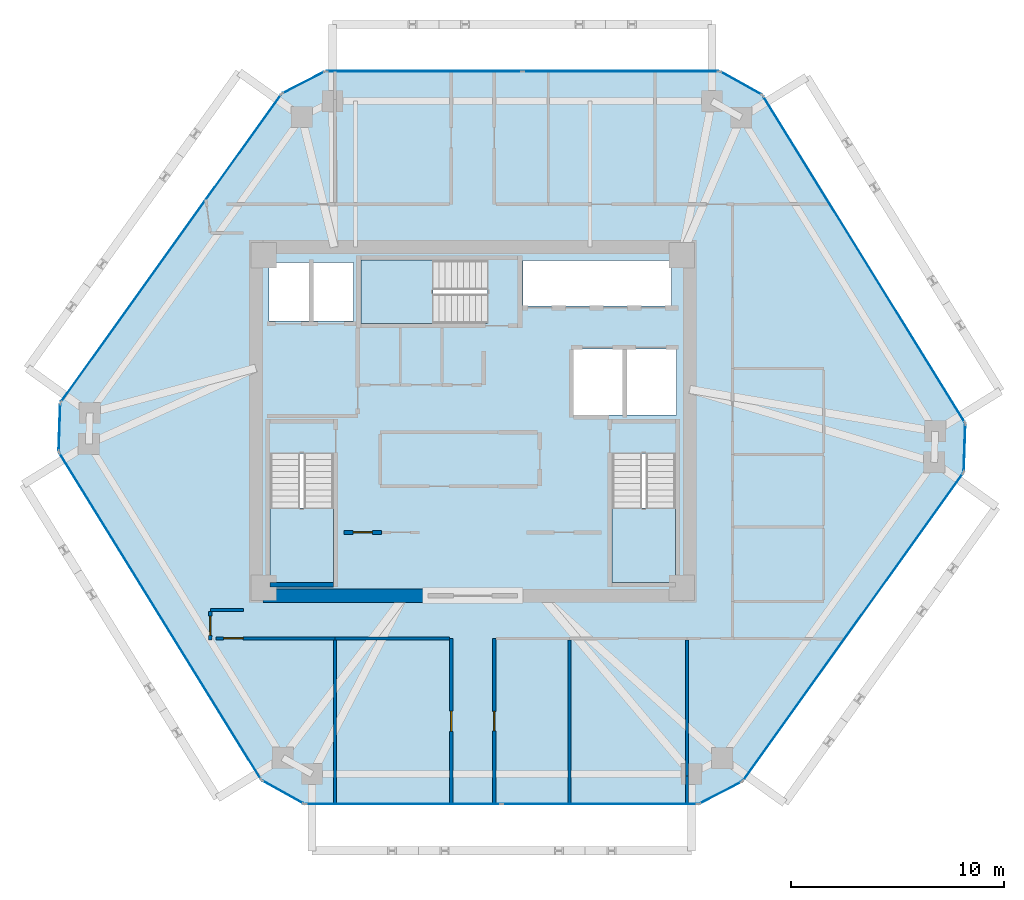
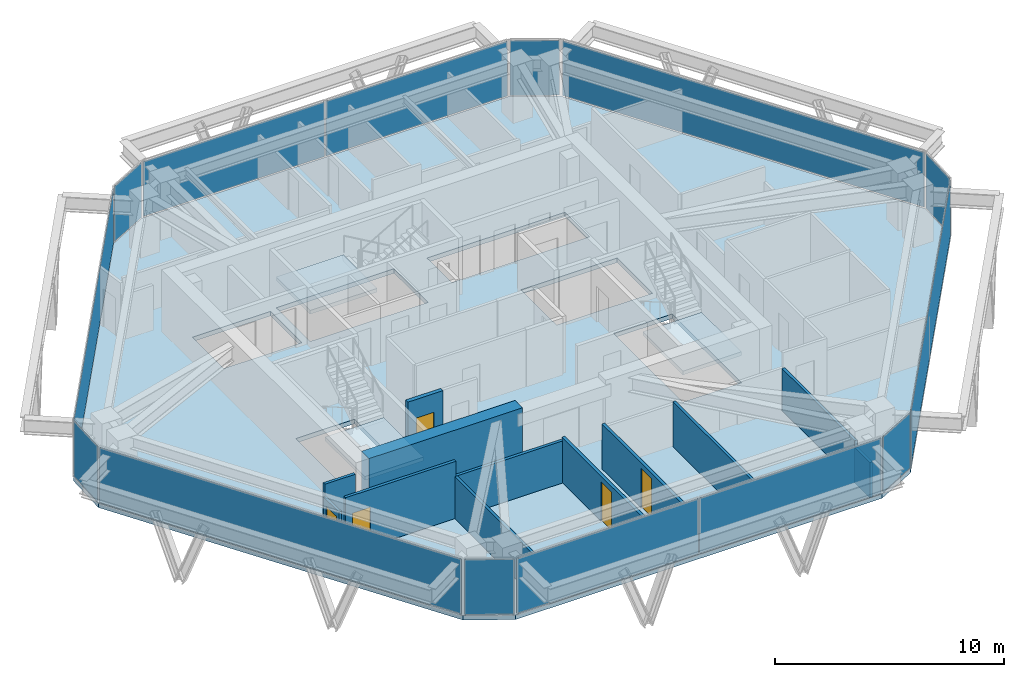
# One storey, part 7 of 11: 14 plates, 13 walls, 5 doors, 4 slabs, 5 openings, 15 elements without a shape of their own.
"""IFC4 building model written with IfcOpenShell, lengths in metres."""

from ifc_helpers import new_model, si_unit, direction, frame, frame_2d, origin, origin_2d, place, context, subcontext, project, spatial, polyline, rectangle, outline, extrude, source, transform, mapped, material, layer, layer_set, type_object, type_shapes, element, fill, aggregate, save


model = new_model("IFC4")

# Units and contexts
model_context = context("Model", 3, precision=1e-05, world=origin(), true_north=direction((0.0, 1.0)))
body_context = subcontext(model_context, "Body", "Model", "MODEL_VIEW")
ifc_project = project(units=[si_unit("LENGTHUNIT", "METRE"), si_unit("AREAUNIT", "SQUARE_METRE"), si_unit("VOLUMEUNIT", "CUBIC_METRE"), si_unit("PLANEANGLEUNIT", "RADIAN"), si_unit("MASSUNIT", "GRAM", prefix="KILO")], contexts=[model_context])

# Site, building, storey
site_placement = place(None, origin())
site = spatial("IfcSite", under=ifc_project, at=site_placement, CompositionType="ELEMENT")
building_placement = place(site_placement, origin())
building = spatial("IfcBuilding", under=site, at=building_placement, Name="Durnholm Broadcast Tower", CompositionType="ELEMENT")
storey_placement = place(building_placement, frame((0.0, 0.0, 177.10009765625)))
storey = spatial("IfcBuildingStorey", under=building, at=storey_placement, Name="L48", CompositionType="ELEMENT", Elevation=177.10009765625)

# Slab
ifc_material_1 = material(Name="Concrete C50/60", Category="concrete")
ifc_layer_1 = layer(ifc_material_1, 0.239990234375)
ifc_layer_set_1 = layer_set([ifc_layer_1], Name="Concrete C50/60")
slab_type_1 = type_object("IfcSlabType", Name="SLAB-FLR-240", PredefinedType="FLOOR", material=ifc_layer_set_1)
slab_1_placement = place(storey_placement, frame((0.0, 0.0, -0.239990234375)))
element("IfcSlab", 1, at=slab_1_placement, inside=storey, type_object=slab_type_1, Name="L48 structural floor slab", PredefinedType="FLOOR", context=body_context, shape_type="SweptSolid", body=[
    extrude(outline(polyline([(-9.912353515625, -16.822021484375), (-7.9033203125, -17.94189453125), (10.59521484375, -17.94189453125), (12.64111328125, -16.890625), (23.022705078125, -2.390380859375), (23.1005859375, -0.091552734375), (13.59033203125, 15.2978515625), (11.581298828125, 16.41796875), (-6.917236328125, 16.41796875), (-8.962890625, 15.36669921875), (-19.3447265625, 0.8662109375), (-19.422607421875, -1.432373046875), (-9.912353515625, -16.822021484375)]), holes=[polyline([(-6.5400390625, -1.5), (-9.5, -1.5), (-9.5, -7.550048828125), (-6.5400390625, -7.550048828125), (-6.5400390625, -1.5)]), polyline([(9.5, -7.550048828125), (9.5, -1.5), (6.5400390625, -1.5), (6.5400390625, -7.550048828125), (9.5, -7.550048828125)]), polyline([(9.550048828125, 3.39990234375), (4.699951171875, 3.39990234375), (4.699951171875, 0.300048828125), (9.550048828125, 0.300048828125), (9.550048828125, 3.39990234375)]), polyline([(-9.550048828125, 7.449951171875), (-9.550048828125, 4.699951171875), (-5.60009765625, 4.699951171875), (-5.60009765625, 7.449951171875), (-9.550048828125, 7.449951171875)]), polyline([(-5.25, 4.60009765625), (0.699951171875, 4.60009765625), (0.699951171875, 7.56005859375), (-5.25, 7.56005859375), (-5.25, 4.60009765625)]), polyline([(9.31005859375, 7.550048828125), (2.35009765625, 7.550048828125), (2.35009765625, 5.39990234375), (9.31005859375, 5.39990234375), (9.31005859375, 7.550048828125)])]), origin(), (0.0, 0.0, 1.0), 0.239990234375),
])

# Stair, slab
stair_type = type_object("IfcStairType", Name="STAIR-DL-20R1650", PredefinedType="HALF_TURN_STAIR", material=ifc_material_1)
stair_1_placement = place(storey_placement, origin())
stair_1 = element("IfcStair", 2, at=stair_1_placement, inside=storey, type_object=stair_type, Name="L48 ST-1", PredefinedType="HALF_TURN_STAIR")
ifc_layer_2 = layer(ifc_material_1, 0.199951171875)
ifc_layer_set_2 = layer_set([ifc_layer_2], Name="Concrete C50/60")
slab_type_2 = type_object("IfcSlabType", Name="SLAB-LND-200", PredefinedType="LANDING", material=ifc_layer_set_2)
slab_2_placement = place(storey_placement, frame((0.0, 0.0, 1.449951171875)))
slab_2 = element("IfcSlab", 3, at=slab_2_placement, type_object=slab_type_2, Name="ST-1 landing 1", PredefinedType="LANDING", context=body_context, shape_type="SweptSolid", body=[
    extrude(outline(polyline([(-9.5, -4.06494140625), (-9.5, -7.550048828125), (-6.5400390625, -7.550048828125), (-6.5400390625, -4.06494140625), (-9.5, -4.06494140625)])), origin(), (0.0, 0.0, 1.0), 0.199951171875),
])
aggregate(stair_1, [slab_2])

stair_2_placement = place(storey_placement, origin())
stair_2 = element("IfcStair", 4, at=stair_2_placement, inside=storey, type_object=stair_type, Name="L48 ST-2", PredefinedType="HALF_TURN_STAIR")
slab_3_placement = place(storey_placement, frame((0.0, 0.0, 1.449951171875)))
slab_3 = element("IfcSlab", 5, at=slab_3_placement, type_object=slab_type_2, Name="ST-2 landing 1", PredefinedType="LANDING", context=body_context, shape_type="SweptSolid", body=[
    extrude(outline(polyline([(6.5400390625, -4.06494140625), (6.5400390625, -7.550048828125), (9.5, -7.550048828125), (9.5, -4.06494140625), (6.5400390625, -4.06494140625)])), origin(), (0.0, 0.0, 1.0), 0.199951171875),
])
aggregate(stair_2, [slab_3])

stair_3_placement = place(storey_placement, origin())
stair_3 = element("IfcStair", 6, at=stair_3_placement, inside=storey, type_object=stair_type, Name="L48 ST-3", PredefinedType="HALF_TURN_STAIR")
slab_4_placement = place(storey_placement, frame((0.0, 0.0, 1.449951171875)))
slab_4 = element("IfcSlab", 7, at=slab_4_placement, type_object=slab_type_2, Name="ST-3 landing 1", PredefinedType="LANDING", context=body_context, shape_type="SweptSolid", body=[
    extrude(outline(polyline([(-1.864990234375, 7.56005859375), (-5.25, 7.56005859375), (-5.25, 4.60009765625), (-1.864990234375, 4.60009765625), (-1.864990234375, 7.56005859375)])), origin(), (0.0, 0.0, 1.0), 0.199951171875),
])
aggregate(stair_3, [slab_4])

# Curtain wall, plate
ifc_material_2 = material(Name="Aluminium and Solar Control IGU", Category="aluminium")
ifc_layer_3 = layer(ifc_material_2, 0.1650390625)
ifc_layer_set_3 = layer_set([ifc_layer_3], Name="Aluminium and Solar Control IGU")
curtain_wall_type_1 = type_object("IfcCurtainWallType", Name="CW-SYS-5", PredefinedType="NOTDEFINED", material=ifc_layer_set_3)
curtain_wall_1_placement = place(storey_placement, origin())
curtain_wall_1 = element("IfcCurtainWall", 8, at=curtain_wall_1_placement, inside=storey, type_object=curtain_wall_type_1, Name="L48 curtain wall CW-CORNER CW-L48-CRN-01", PredefinedType="NOTDEFINED")
ifc_material_3 = material(Name="Low-E Laminated Insulating Glass", Category="glass")
ifc_layer_4 = layer(ifc_material_3, 0.030029296875)
ifc_layer_set_4 = layer_set([ifc_layer_4], Name="Low-E Laminated Insulating Glass")
plate_type_1 = type_object("IfcPlateType", Name="CW-SYS-5-PNL", PredefinedType="CURTAIN_PANEL", material=ifc_layer_set_4)
shared_shape_1 = source(origin(), body_context, "Body", "SweptSolid", [
    extrude(rectangle(XDim=2.169921875, YDim=0.030029296875, at=origin_2d()), origin(), (0.0, 0.0, 1.0), 2.929931640625),
])
plate_1_placement = place(storey_placement, frame((-19.3837890625, -0.282958984375, 0.06494140625), z_axis=(0.0, 0.0, 1.0), x_axis=(0.033912704699, 0.999424798802, 0.0)))
plate_1 = element("IfcPlate", 9, at=plate_1_placement, type_object=plate_type_1, Name="CW-CORNER panel 1.1", PredefinedType="CURTAIN_PANEL", context=body_context, shape_type="MappedRepresentation", body=[
    mapped(shared_shape_1, transform((0.0, 0.0, 0.0), x_axis=(1.0, 0.0, 0.0), y_axis=(0.0, 1.0, 0.0), z_axis=(0.0, 0.0, 1.0), scale=1.0)),
])
aggregate(curtain_wall_1, [plate_1])

curtain_wall_2_placement = place(storey_placement, origin())
curtain_wall_2 = element("IfcCurtainWall", 10, at=curtain_wall_2_placement, inside=storey, type_object=curtain_wall_type_1, Name="L48 curtain wall CW-CORNER CW-L48-CRN-03", PredefinedType="NOTDEFINED")
plate_2_placement = place(storey_placement, frame((-7.940185546875, 15.892333984375, 0.06494140625), z_axis=(0.0, 0.0, 1.0), x_axis=(0.889424679545, 0.457081764476, 0.0)))
plate_2 = element("IfcPlate", 11, at=plate_2_placement, type_object=plate_type_1, Name="CW-CORNER panel 1.1", PredefinedType="CURTAIN_PANEL", context=body_context, shape_type="MappedRepresentation", body=[
    mapped(shared_shape_1, transform((0.0, 0.0, 0.0), x_axis=(1.0, 0.0, 0.0), y_axis=(0.0, 1.0, 0.0), z_axis=(0.0, 0.0, 1.0), scale=1.0)),
])
aggregate(curtain_wall_2, [plate_2])

curtain_wall_3_placement = place(storey_placement, origin())
curtain_wall_3 = element("IfcCurtainWall", 12, at=curtain_wall_3_placement, inside=storey, type_object=curtain_wall_type_1, Name="L48 curtain wall CW-CORNER CW-L48-CRN-07", PredefinedType="NOTDEFINED")
plate_3_placement = place(storey_placement, frame((23.061767578125, -1.240966796875, 0.06494140625), z_axis=(0.0, 0.0, 1.0), x_axis=(-0.033912704699, -0.999424798802, 0.0)))
plate_3 = element("IfcPlate", 13, at=plate_3_placement, type_object=plate_type_1, Name="CW-CORNER panel 1.1", PredefinedType="CURTAIN_PANEL", context=body_context, shape_type="MappedRepresentation", body=[
    mapped(shared_shape_1, transform((0.0, 0.0, 0.0), x_axis=(1.0, 0.0, 0.0), y_axis=(0.0, 1.0, 0.0), z_axis=(0.0, 0.0, 1.0), scale=1.0)),
])
aggregate(curtain_wall_3, [plate_3])

curtain_wall_4_placement = place(storey_placement, origin())
curtain_wall_4 = element("IfcCurtainWall", 14, at=curtain_wall_4_placement, inside=storey, type_object=curtain_wall_type_1, Name="L48 curtain wall CW-CORNER CW-L48-CRN-09", PredefinedType="NOTDEFINED")
plate_4_placement = place(storey_placement, frame((11.6181640625, -17.416259765625, 0.06494140625), z_axis=(0.0, 0.0, 1.0), x_axis=(-0.889424679545, -0.457081764476, 0.0)))
plate_4 = element("IfcPlate", 15, at=plate_4_placement, type_object=plate_type_1, Name="CW-CORNER panel 1.1", PredefinedType="CURTAIN_PANEL", context=body_context, shape_type="MappedRepresentation", body=[
    mapped(shared_shape_1, transform((0.0, 0.0, 0.0), x_axis=(1.0, 0.0, 0.0), y_axis=(0.0, 1.0, 0.0), z_axis=(0.0, 0.0, 1.0), scale=1.0)),
])
aggregate(curtain_wall_4, [plate_4])

ifc_layer_5 = layer(ifc_material_2, 0.18994140625)
ifc_layer_set_5 = layer_set([ifc_layer_5], Name="Aluminium and Solar Control IGU")
curtain_wall_type_2 = type_object("IfcCurtainWallType", Name="CW-SYS-4", PredefinedType="NOTDEFINED", material=ifc_layer_set_5)
curtain_wall_5_placement = place(storey_placement, origin())
curtain_wall_5 = element("IfcCurtainWall", 16, at=curtain_wall_5_placement, inside=storey, type_object=curtain_wall_type_2, Name="L48 curtain wall CW-Z34-VIS CW-L48-F02", PredefinedType="NOTDEFINED")
ifc_layer_6 = layer(ifc_material_3, 0.033935546875)
ifc_layer_set_6 = layer_set([ifc_layer_6], Name="Low-E Laminated Insulating Glass")
plate_type_2 = type_object("IfcPlateType", Name="CW-SYS-4-PNL", PredefinedType="CURTAIN_PANEL", material=ifc_layer_set_6)
shared_shape_2 = source(origin(), body_context, "Body", "SweptSolid", [
    extrude(rectangle(XDim=17.693603515625, YDim=0.033935546875, at=origin_2d()), origin(), (0.0, 0.0, 1.0), 2.919921875),
])
plate_5_placement = place(storey_placement, frame((-14.15380859375, 8.116455078125, 0.06982421875), z_axis=(0.0, 0.0, 1.0), x_axis=(0.582139030549, 0.813089262696, 0.0)))
plate_5 = element("IfcPlate", 17, at=plate_5_placement, type_object=plate_type_2, Name="CW-Z34-VIS panel 1.1", PredefinedType="CURTAIN_PANEL", context=body_context, shape_type="MappedRepresentation", body=[
    mapped(shared_shape_2, transform((0.0, 0.0, 0.0), x_axis=(1.0, 0.0, 0.0), y_axis=(0.0, 1.0, 0.0), z_axis=(0.0, 0.0, 1.0), scale=1.0)),
])
aggregate(curtain_wall_5, [plate_5])

curtain_wall_6_placement = place(storey_placement, origin())
curtain_wall_6 = element("IfcCurtainWall", 18, at=curtain_wall_6_placement, inside=storey, type_object=curtain_wall_type_2, Name="L48 curtain wall CW-Z34-VIS CW-L48-F08", PredefinedType="NOTDEFINED")
plate_6_placement = place(storey_placement, frame((17.831787109375, -9.640380859375, 0.06982421875), z_axis=(0.0, 0.0, 1.0), x_axis=(-0.582139030549, -0.813089262696, 0.0)))
plate_6 = element("IfcPlate", 19, at=plate_6_placement, type_object=plate_type_2, Name="CW-Z34-VIS panel 1.1", PredefinedType="CURTAIN_PANEL", context=body_context, shape_type="MappedRepresentation", body=[
    mapped(shared_shape_2, transform((0.0, 0.0, 0.0), x_axis=(1.0, 0.0, 0.0), y_axis=(0.0, 1.0, 0.0), z_axis=(0.0, 0.0, 1.0), scale=1.0)),
])
aggregate(curtain_wall_6, [plate_6])

# Curtain wall, plates
curtain_wall_7_placement = place(storey_placement, origin())
curtain_wall_7 = element("IfcCurtainWall", 20, at=curtain_wall_7_placement, inside=storey, type_object=curtain_wall_type_2, Name="L48 curtain wall CW-Z34-VIS CW-L48-F04", PredefinedType="NOTDEFINED")
shared_shape_3 = source(origin(), body_context, "Body", "SweptSolid", [
    extrude(rectangle(XDim=9.144287109375, YDim=0.033935546875, at=origin_2d()), origin(), (0.0, 0.0, 1.0), 2.919921875),
])
plate_7_placement = place(storey_placement, frame((-2.275146484375, 16.41796875, 0.06982421875), z_axis=(0.0, 0.0, 1.0), x_axis=(1.0, 0.0, 0.0)))
plate_7 = element("IfcPlate", 21, at=plate_7_placement, type_object=plate_type_2, Name="CW-Z34-VIS panel 1.1", PredefinedType="CURTAIN_PANEL", context=body_context, shape_type="MappedRepresentation", body=[
    mapped(shared_shape_3, transform((0.0, 0.0, 0.0), x_axis=(1.0, 0.0, 0.0), y_axis=(0.0, 1.0, 0.0), z_axis=(0.0, 0.0, 1.0), scale=1.0)),
])
plate_8_placement = place(storey_placement, frame((6.939208984375, 16.41796875, 0.06982421875), z_axis=(0.0, 0.0, 1.0), x_axis=(1.0, 0.0, 0.0)))
plate_8 = element("IfcPlate", 22, at=plate_8_placement, type_object=plate_type_2, Name="CW-Z34-VIS panel 2.1", PredefinedType="CURTAIN_PANEL", context=body_context, shape_type="MappedRepresentation", body=[
    mapped(shared_shape_3, transform((0.0, 0.0, 0.0), x_axis=(1.0, 0.0, 0.0), y_axis=(0.0, 1.0, 0.0), z_axis=(0.0, 0.0, 1.0), scale=1.0)),
])
aggregate(curtain_wall_7, [plate_7, plate_8])

curtain_wall_8_placement = place(storey_placement, origin())
curtain_wall_8 = element("IfcCurtainWall", 23, at=curtain_wall_8_placement, inside=storey, type_object=curtain_wall_type_2, Name="L48 curtain wall CW-Z34-VIS CW-L48-F10", PredefinedType="NOTDEFINED")
plate_9_placement = place(storey_placement, frame((5.953125, -17.94189453125, 0.06982421875), z_axis=(0.0, 0.0, 1.0), x_axis=(-1.0, 0.0, 0.0)))
plate_9 = element("IfcPlate", 24, at=plate_9_placement, type_object=plate_type_2, Name="CW-Z34-VIS panel 1.1", PredefinedType="CURTAIN_PANEL", context=body_context, shape_type="MappedRepresentation", body=[
    mapped(shared_shape_3, transform((0.0, 0.0, 0.0), x_axis=(1.0, 0.0, 0.0), y_axis=(0.0, 1.0, 0.0), z_axis=(0.0, 0.0, 1.0), scale=1.0)),
])
plate_10_placement = place(storey_placement, frame((-3.26123046875, -17.94189453125, 0.06982421875), z_axis=(0.0, 0.0, 1.0), x_axis=(-1.0, 0.0, 0.0)))
plate_10 = element("IfcPlate", 25, at=plate_10_placement, type_object=plate_type_2, Name="CW-Z34-VIS panel 2.1", PredefinedType="CURTAIN_PANEL", context=body_context, shape_type="MappedRepresentation", body=[
    mapped(shared_shape_3, transform((0.0, 0.0, 0.0), x_axis=(1.0, 0.0, 0.0), y_axis=(0.0, 1.0, 0.0), z_axis=(0.0, 0.0, 1.0), scale=1.0)),
])
aggregate(curtain_wall_8, [plate_9, plate_10])

# Curtain wall, plate
curtain_wall_9_placement = place(storey_placement, origin())
curtain_wall_9 = element("IfcCurtainWall", 26, at=curtain_wall_9_placement, inside=storey, type_object=curtain_wall_type_1, Name="L48 curtain wall CW-CORNER CW-L48-CRN-05", PredefinedType="NOTDEFINED")
shared_shape_4 = source(origin(), body_context, "Body", "SweptSolid", [
    extrude(rectangle(XDim=2.170166015625, YDim=0.030029296875, at=origin_2d()), origin(), (0.0, 0.0, 1.0), 2.929931640625),
])
type_shapes(plate_type_1, [shared_shape_1, shared_shape_4])
plate_11_placement = place(storey_placement, frame((12.5859375, 15.85791015625, 0.06494140625), z_axis=(0.0, 0.0, 1.0), x_axis=(0.873409751271, -0.486986043316, 0.0)))
plate_11 = element("IfcPlate", 27, at=plate_11_placement, type_object=plate_type_1, Name="CW-CORNER panel 1.1", PredefinedType="CURTAIN_PANEL", context=body_context, shape_type="MappedRepresentation", body=[
    mapped(shared_shape_4, transform((0.0, 0.0, 0.0), x_axis=(1.0, 0.0, 0.0), y_axis=(0.0, 1.0, 0.0), z_axis=(0.0, 0.0, 1.0), scale=1.0)),
])
aggregate(curtain_wall_9, [plate_11])

curtain_wall_10_placement = place(storey_placement, origin())
curtain_wall_10 = element("IfcCurtainWall", 28, at=curtain_wall_10_placement, inside=storey, type_object=curtain_wall_type_1, Name="L48 curtain wall CW-CORNER CW-L48-CRN-11", PredefinedType="NOTDEFINED")
plate_12_placement = place(storey_placement, frame((-8.907958984375, -17.3818359375, 0.06494140625), z_axis=(0.0, 0.0, 1.0), x_axis=(-0.873409751271, 0.486986043316, 0.0)))
plate_12 = element("IfcPlate", 29, at=plate_12_placement, type_object=plate_type_1, Name="CW-CORNER panel 1.1", PredefinedType="CURTAIN_PANEL", context=body_context, shape_type="MappedRepresentation", body=[
    mapped(shared_shape_4, transform((0.0, 0.0, 0.0), x_axis=(1.0, 0.0, 0.0), y_axis=(0.0, 1.0, 0.0), z_axis=(0.0, 0.0, 1.0), scale=1.0)),
])
aggregate(curtain_wall_10, [plate_12])

curtain_wall_11_placement = place(storey_placement, origin())
curtain_wall_11 = element("IfcCurtainWall", 30, at=curtain_wall_11_placement, inside=storey, type_object=curtain_wall_type_2, Name="L48 curtain wall CW-Z34-VIS CW-L48-F06", PredefinedType="NOTDEFINED")
shared_shape_5 = source(origin(), body_context, "Body", "SweptSolid", [
    extrude(rectangle(XDim=17.950927734375, YDim=0.033935546875, at=origin_2d()), origin(), (0.0, 0.0, 1.0), 2.919921875),
])
type_shapes(plate_type_2, [shared_shape_2, shared_shape_3, shared_shape_5])
plate_13_placement = place(storey_placement, frame((18.345458984375, 7.603271484375, 0.06982421875), z_axis=(0.0, 0.0, 1.0), x_axis=(0.525697750452, -0.850671426092, 0.0)))
plate_13 = element("IfcPlate", 31, at=plate_13_placement, type_object=plate_type_2, Name="CW-Z34-VIS panel 1.1", PredefinedType="CURTAIN_PANEL", context=body_context, shape_type="MappedRepresentation", body=[
    mapped(shared_shape_5, transform((0.0, 0.0, 0.0), x_axis=(1.0, 0.0, 0.0), y_axis=(0.0, 1.0, 0.0), z_axis=(0.0, 0.0, 1.0), scale=1.0)),
])
aggregate(curtain_wall_11, [plate_13])

curtain_wall_12_placement = place(storey_placement, origin())
curtain_wall_12 = element("IfcCurtainWall", 32, at=curtain_wall_12_placement, inside=storey, type_object=curtain_wall_type_2, Name="L48 curtain wall CW-Z34-VIS CW-L48-F12", PredefinedType="NOTDEFINED")
plate_14_placement = place(storey_placement, frame((-14.66748046875, -9.127197265625, 0.06982421875), z_axis=(0.0, 0.0, 1.0), x_axis=(-0.525697750452, 0.850671426092, 0.0)))
plate_14 = element("IfcPlate", 33, at=plate_14_placement, type_object=plate_type_2, Name="CW-Z34-VIS panel 1.1", PredefinedType="CURTAIN_PANEL", context=body_context, shape_type="MappedRepresentation", body=[
    mapped(shared_shape_5, transform((0.0, 0.0, 0.0), x_axis=(1.0, 0.0, 0.0), y_axis=(0.0, 1.0, 0.0), z_axis=(0.0, 0.0, 1.0), scale=1.0)),
])
aggregate(curtain_wall_12, [plate_14])

# Wall
ifc_material_4 = material(Name="Concrete C70/85", Category="concrete")
ifc_layer_7 = layer(ifc_material_4, 0.64990234375)
ifc_layer_set_7 = layer_set([ifc_layer_7], Name="Concrete C70/85")
wall_type_1 = type_object("IfcWallType", Name="WALL-CW-650", PredefinedType="SHEAR", material=ifc_layer_set_7)
wall_1_placement = place(storey_placement, frame((-9.85009765625, -8.175048828125, 0.0), z_axis=(0.0, 0.0, 1.0), x_axis=(1.0, 0.0, 0.0)))
element("IfcWall", 34, at=wall_1_placement, inside=storey, type_object=wall_type_1, Name="L48 central core shear wall CW-S1", PredefinedType="SHEAR", context=body_context, shape_type="SweptSolid", body=[
    extrude(rectangle(XDim=7.75, YDim=0.64990234375, at=frame_2d((3.875, 0.0))), origin(), (0.0, 0.0, 1.0), 3.2998046875),
])

# Wall, opening, door
ifc_material_5 = material(Name="Fire-Rated Gypsum Shaftwall", Category="concrete")
ifc_layer_8 = layer(ifc_material_5, 0.199951171875)
ifc_layer_set_8 = layer_set([ifc_layer_8], Name="Fire-Rated Gypsum Shaftwall")
wall_type_2 = type_object("IfcWallType", Name="WALL-LOB-200", PredefinedType="SOLIDWALL", material=ifc_layer_set_8)
wall_2_placement = place(storey_placement, frame((-6.0400390625, -5.2099609375, 0.0), z_axis=(0.0, 0.0, 1.0), x_axis=(1.0, 0.0, 0.0)))
wall_2 = element("IfcWall", 35, at=wall_2_placement, inside=storey, type_object=wall_type_2, Name="L48 Media Fiber Patch Room corridor partition", PredefinedType="SOLIDWALL", context=body_context, shape_type="SweptSolid", body=[
    extrude(rectangle(XDim=1.760009765625, YDim=0.199951171875, at=frame_2d((0.8798828125, 0.0))), origin(), (0.0, 0.0, 1.0), 3.044921875),
])
opening_1_placement = place(wall_2_placement, frame((0.429931640625, 0.0, 0.0)))
opening_1 = element("IfcOpeningElement", 36, at=opening_1_placement, cuts=wall_2, Name="Opening DC-60L", PredefinedType="OPENING", context=body_context, shape_type="SweptSolid", body=[
    extrude(rectangle(XDim=0.89990234375, YDim=2.050048828125, at=frame_2d((0.449951171875, 1.02490234375))), frame((0.0, 0.10986328125, 0.0), z_axis=(0.0, -1.0, 0.0), x_axis=(1.0, 0.0, 0.0)), (0.0, 0.0, 1.0), 0.219970703125),
])
ifc_material_6 = material(Name="Fire-Rated Core Service Door", Category="steel")
ifc_layer_9 = layer(ifc_material_6, 0.050048828125)
ifc_layer_set_9 = layer_set([ifc_layer_9], Name="Fire-Rated Core Service Door")
door_type_1 = type_object("IfcDoorType", Name="DOOR-CORE-FD60-L", OperationType="NOTDEFINED", PredefinedType="DOOR", material=ifc_layer_set_9)
shared_shape_6 = source(origin(), body_context, "Body", "SweptSolid", [
    extrude(rectangle(XDim=0.89990234375, YDim=2.050048828125, at=frame_2d((0.449951171875, 1.02490234375))), frame((0.0, 0.02490234375, 0.0), z_axis=(0.0, -1.0, 0.0), x_axis=(1.0, 0.0, 0.0)), (0.0, 0.0, 1.0), 0.050048828125),
])
type_shapes(door_type_1, [shared_shape_6])
door_1_placement = place(opening_1_placement, origin())
door_1 = element("IfcDoor", 37, at=door_1_placement, inside=storey, type_object=door_type_1, Name="L48 Media Fiber Patch Room entrance door", OperationType="SINGLE_SWING_LEFT", OverallHeight=2.050048828125, OverallWidth=0.89990234375, PredefinedType="DOOR", context=body_context, shape_type="MappedRepresentation", body=[
    mapped(shared_shape_6, transform((0.0, 0.0, 0.0), x_axis=(1.0, 0.0, 0.0), y_axis=(0.0, 1.0, 0.0), z_axis=(0.0, 0.0, 1.0), scale=1.0)),
])
fill(opening_1, door_1)

# Walls
ifc_material_7 = material(Name="Gypsum Metal Stud Partition", Category="concrete")
ifc_layer_10 = layer(ifc_material_7, 0.135009765625)
ifc_layer_set_10 = layer_set([ifc_layer_10], Name="Gypsum Metal Stud Partition")
wall_type_3 = type_object("IfcWallType", Name="WALL-PART-135", PredefinedType="PARTITIONING", material=ifc_layer_set_10)
wall_3_placement = place(storey_placement, frame((-6.4599609375, -10.259033203125, 0.0), z_axis=(0.0, 0.0, 1.0), x_axis=(0.0, -1.0, 0.0)))
element("IfcWall", 38, at=wall_3_placement, inside=storey, type_object=wall_type_3, Name="L48 room dividing partition 17.18", PredefinedType="PARTITIONING", context=body_context, shape_type="SweptSolid", body=[
    extrude(rectangle(XDim=7.682861328125, YDim=0.135009765625, at=frame_2d((3.84130859375, 0.0))), origin(), (0.0, 0.0, 1.0), 2.24169921875),
])
wall_4_placement = place(storey_placement, frame((4.5400390625, -10.259033203125, 0.0), z_axis=(0.0, 0.0, 1.0), x_axis=(0.0, -1.0, 0.0)))
element("IfcWall", 39, at=wall_4_placement, inside=storey, type_object=wall_type_3, Name="L48 room dividing partition 19.20", PredefinedType="PARTITIONING", context=body_context, shape_type="SweptSolid", body=[
    extrude(rectangle(XDim=7.682861328125, YDim=0.135009765625, at=frame_2d((3.84130859375, 0.0))), origin(), (0.0, 0.0, 1.0), 2.398681640625),
])
wall_5_placement = place(storey_placement, frame((10.0400390625, -10.259033203125, 0.0), z_axis=(0.0, 0.0, 1.0), x_axis=(0.0, -1.0, 0.0)))
element("IfcWall", 40, at=wall_5_placement, inside=storey, type_object=wall_type_3, Name="L48 room dividing partition 20.21", PredefinedType="PARTITIONING", context=body_context, shape_type="SweptSolid", body=[
    extrude(rectangle(XDim=6.366943359375, YDim=0.135009765625, at=frame_2d((3.18359375, 0.0))), origin(), (0.0, 0.0, 1.0), 2.24169921875),
])
wall_6_placement = place(storey_placement, frame((10.0400390625, -16.6259765625, 0.0), z_axis=(0.0, 0.0, 1.0), x_axis=(0.0, -1.0, 0.0)))
element("IfcWall", 41, at=wall_6_placement, inside=storey, type_object=wall_type_3, Name="L48 room dividing partition 20.21", PredefinedType="PARTITIONING", context=body_context, shape_type="SweptSolid", body=[
    extrude(rectangle(XDim=1.31591796875, YDim=0.135009765625, at=frame_2d((0.657958984375, 0.0))), origin(), (0.0, 0.0, 1.0), 1.876953125),
])

# Wall, opening, door
ifc_material_8 = material(Name="Acoustic Gypsum Stud Partition", Category="concrete")
ifc_layer_11 = layer(ifc_material_8, 0.14990234375)
ifc_layer_set_11 = layer_set([ifc_layer_11], Name="Acoustic Gypsum Stud Partition")
wall_type_4 = type_object("IfcWallType", Name="WALL-PART-150", PredefinedType="PARTITIONING", material=ifc_layer_set_11)
wall_7_placement = place(storey_placement, frame((-12.0400390625, -10.179931640625, 0.0), z_axis=(0.0, 0.0, 1.0), x_axis=(1.0, 0.0, 0.0)))
wall_7 = element("IfcWall", 42, at=wall_7_placement, inside=storey, type_object=wall_type_4, Name="L48 Producer Office 1 corridor partition", PredefinedType="PARTITIONING", context=body_context, shape_type="SweptSolid", body=[
    extrude(rectangle(XDim=5.580078125, YDim=0.14990234375, at=frame_2d((2.7900390625, 0.0))), origin(), (0.0, 0.0, 1.0), 3.044921875),
])
opening_2_placement = place(wall_7_placement, frame((0.35009765625, 0.0, 0.0)))
opening_2 = element("IfcOpeningElement", 43, at=opening_2_placement, cuts=wall_7, Name="Opening DR-92L", PredefinedType="OPENING", context=body_context, shape_type="SweptSolid", body=[
    extrude(rectangle(XDim=0.919921875, YDim=2.10009765625, at=frame_2d((0.4599609375, 1.050048828125))), frame((0.0, 0.0849609375, 0.0), z_axis=(0.0, -1.0, 0.0), x_axis=(1.0, 0.0, 0.0)), (0.0, 0.0, 1.0), 0.169921875),
])
ifc_material_9 = material(Name="Oak Veneer Office Door", Category="wood")
ifc_layer_12 = layer(ifc_material_9, 0.050048828125)
ifc_layer_set_12 = layer_set([ifc_layer_12], Name="Oak Veneer Office Door")
door_type_2 = type_object("IfcDoorType", Name="DOOR-RM-920L", OperationType="NOTDEFINED", PredefinedType="DOOR", material=ifc_layer_set_12)
shared_shape_7 = source(origin(), body_context, "Body", "SweptSolid", [
    extrude(rectangle(XDim=0.919921875, YDim=2.10009765625, at=frame_2d((0.4599609375, 1.050048828125))), frame((0.0, 0.02490234375, 0.0), z_axis=(0.0, -1.0, 0.0), x_axis=(1.0, 0.0, 0.0)), (0.0, 0.0, 1.0), 0.050048828125),
])
type_shapes(door_type_2, [shared_shape_7])
door_2_placement = place(opening_2_placement, origin())
door_2 = element("IfcDoor", 44, at=door_2_placement, inside=storey, type_object=door_type_2, Name="L48 Producer Office 1 entrance door", OperationType="SINGLE_SWING_LEFT", OverallHeight=2.10009765625, OverallWidth=0.919921875, PredefinedType="DOOR", context=body_context, shape_type="MappedRepresentation", body=[
    mapped(shared_shape_7, transform((0.0, 0.0, 0.0), x_axis=(1.0, 0.0, 0.0), y_axis=(0.0, 1.0, 0.0), z_axis=(0.0, 0.0, 1.0), scale=1.0)),
])
fill(opening_2, door_2)

wall_8_placement = place(storey_placement, frame((-1.010009765625, -10.179931640625, 0.0), z_axis=(0.0, 0.0, 1.0), x_axis=(0.0, -1.0, 0.0)))
wall_8 = element("IfcWall", 45, at=wall_8_placement, inside=storey, type_object=wall_type_4, Name="L48 Producer Office 2 corridor partition", PredefinedType="PARTITIONING", context=body_context, shape_type="SweptSolid", body=[
    extrude(rectangle(XDim=7.761962890625, YDim=0.14990234375, at=frame_2d((3.880859375, 0.0))), origin(), (0.0, 0.0, 1.0), 2.398681640625),
])
opening_3_placement = place(wall_8_placement, frame((3.406005859375, 0.0, 0.0)))
opening_3 = element("IfcOpeningElement", 46, at=opening_3_placement, cuts=wall_8, Name="Opening DR-95R", PredefinedType="OPENING", context=body_context, shape_type="SweptSolid", body=[
    extrude(rectangle(XDim=0.949951171875, YDim=2.10009765625, at=frame_2d((0.47509765625, 1.050048828125))), frame((0.0, 0.0849609375, 0.0), z_axis=(0.0, -1.0, 0.0), x_axis=(1.0, 0.0, 0.0)), (0.0, 0.0, 1.0), 0.169921875),
])
ifc_material_10 = material(Name="Acoustic Oak Veneer Timber Door", Category="wood")
ifc_layer_13 = layer(ifc_material_10, 0.050048828125)
ifc_layer_set_13 = layer_set([ifc_layer_13], Name="Acoustic Oak Veneer Timber Door")
door_type_3 = type_object("IfcDoorType", Name="DOOR-RM-950R", OperationType="NOTDEFINED", PredefinedType="DOOR", material=ifc_layer_set_13)
shared_shape_8 = source(origin(), body_context, "Body", "SweptSolid", [
    extrude(rectangle(XDim=0.949951171875, YDim=2.10009765625, at=frame_2d((0.47509765625, 1.050048828125))), frame((0.0, 0.02490234375, 0.0), z_axis=(0.0, -1.0, 0.0), x_axis=(1.0, 0.0, 0.0)), (0.0, 0.0, 1.0), 0.050048828125),
])
type_shapes(door_type_3, [shared_shape_8])
door_3_placement = place(opening_3_placement, origin())
door_3 = element("IfcDoor", 47, at=door_3_placement, inside=storey, type_object=door_type_3, Name="L48 Producer Office 2 entrance door", OperationType="SINGLE_SWING_RIGHT", OverallHeight=2.10009765625, OverallWidth=0.949951171875, PredefinedType="DOOR", context=body_context, shape_type="MappedRepresentation", body=[
    mapped(shared_shape_8, transform((0.0, 0.0, 0.0), x_axis=(1.0, 0.0, 0.0), y_axis=(0.0, 1.0, 0.0), z_axis=(0.0, 0.0, 1.0), scale=1.0)),
])
fill(opening_3, door_3)

# Wall
wall_9_placement = place(storey_placement, frame((-6.4599609375, -10.179931640625, 0.0), z_axis=(0.0, 0.0, 1.0), x_axis=(1.0, 0.0, 0.0)))
element("IfcWall", 48, at=wall_9_placement, inside=storey, type_object=wall_type_4, Name="L48 Producer Office 2 corridor partition", PredefinedType="PARTITIONING", context=body_context, shape_type="SweptSolid", body=[
    extrude(rectangle(XDim=5.370849609375, YDim=0.14990234375, at=frame_2d((2.685546875, 0.0))), origin(), (0.0, 0.0, 1.0), 2.24169921875),
])

# Wall, opening, door
wall_10_placement = place(storey_placement, frame((1.010009765625, -17.94189453125, 0.0), z_axis=(0.0, 0.0, 1.0), x_axis=(0.0, 1.0, 0.0)))
wall_10 = element("IfcWall", 49, at=wall_10_placement, inside=storey, type_object=wall_type_4, Name="L48 Festival Office corridor partition", PredefinedType="PARTITIONING", context=body_context, shape_type="SweptSolid", body=[
    extrude(rectangle(XDim=7.761962890625, YDim=0.14990234375, at=frame_2d((3.880859375, 0.0))), origin(), (0.0, 0.0, 1.0), 2.398681640625),
])
opening_4_placement = place(wall_10_placement, frame((3.4208984375, 0.0, 0.0)))
opening_4 = element("IfcOpeningElement", 50, at=opening_4_placement, cuts=wall_10, Name="Opening DR-92L", PredefinedType="OPENING", context=body_context, shape_type="SweptSolid", body=[
    extrude(rectangle(XDim=0.919921875, YDim=2.10009765625, at=frame_2d((0.4599609375, 1.050048828125))), frame((0.0, 0.0849609375, 0.0), z_axis=(0.0, -1.0, 0.0), x_axis=(1.0, 0.0, 0.0)), (0.0, 0.0, 1.0), 0.169921875),
])
door_4_placement = place(opening_4_placement, origin())
door_4 = element("IfcDoor", 51, at=door_4_placement, inside=storey, type_object=door_type_2, Name="L48 Festival Office entrance door", OperationType="SINGLE_SWING_LEFT", OverallHeight=2.10009765625, OverallWidth=0.919921875, PredefinedType="DOOR", context=body_context, shape_type="MappedRepresentation", body=[
    mapped(shared_shape_7, transform((0.0, 0.0, 0.0), x_axis=(1.0, 0.0, 0.0), y_axis=(0.0, 1.0, 0.0), z_axis=(0.0, 0.0, 1.0), scale=1.0)),
])
fill(opening_4, door_4)

# Wall
wall_11_placement = place(storey_placement, frame((-10.760009765625, -8.840087890625, 0.0), z_axis=(0.0, 0.0, 1.0), x_axis=(-1.0, 0.0, 0.0)))
element("IfcWall", 52, at=wall_11_placement, inside=storey, type_object=wall_type_4, Name="L48 Rough-Cut Office 1 corridor partition", PredefinedType="PARTITIONING", context=body_context, shape_type="SweptSolid", body=[
    extrude(rectangle(XDim=1.550048828125, YDim=0.14990234375, at=frame_2d((0.77490234375, 0.0))), origin(), (0.0, 0.0, 1.0), 3.044921875),
])

# Wall, opening, door
wall_12_placement = place(storey_placement, frame((-12.31005859375, -8.9189453125, 0.0), z_axis=(0.0, 0.0, 1.0), x_axis=(0.0, -1.0, 0.0)))
wall_12 = element("IfcWall", 53, at=wall_12_placement, inside=storey, type_object=wall_type_4, Name="L48 Rough-Cut Office 1 corridor partition", PredefinedType="PARTITIONING", context=body_context, shape_type="SweptSolid", body=[
    extrude(rectangle(XDim=1.341064453125, YDim=0.14990234375, at=frame_2d((0.67041015625, 0.0))), origin(), (0.0, 0.0, 1.0), 2.398681640625),
])
opening_5_placement = place(wall_12_placement, frame((0.220458984375, 0.0, 0.0)))
opening_5 = element("IfcOpeningElement", 54, at=opening_5_placement, cuts=wall_12, Name="Opening DW-90L", PredefinedType="OPENING", context=body_context, shape_type="SweptSolid", body=[
    extrude(rectangle(XDim=0.89990234375, YDim=2.050048828125, at=frame_2d((0.449951171875, 1.02490234375))), frame((0.0, 0.0849609375, 0.0), z_axis=(0.0, -1.0, 0.0), x_axis=(1.0, 0.0, 0.0)), (0.0, 0.0, 1.0), 0.169921875),
])
ifc_material_11 = material(Name="Laminate Restroom Door", Category="steel")
ifc_layer_14 = layer(ifc_material_11, 0.050048828125)
ifc_layer_set_14 = layer_set([ifc_layer_14], Name="Laminate Restroom Door")
door_type_4 = type_object("IfcDoorType", Name="DOOR-WC-900L", OperationType="NOTDEFINED", PredefinedType="DOOR", material=ifc_layer_set_14)
shared_shape_9 = source(origin(), body_context, "Body", "SweptSolid", [
    extrude(rectangle(XDim=0.89990234375, YDim=2.050048828125, at=frame_2d((0.449951171875, 1.02490234375))), frame((0.0, 0.02490234375, 0.0), z_axis=(0.0, -1.0, 0.0), x_axis=(1.0, 0.0, 0.0)), (0.0, 0.0, 1.0), 0.050048828125),
])
type_shapes(door_type_4, [shared_shape_9])
door_5_placement = place(opening_5_placement, origin())
door_5 = element("IfcDoor", 55, at=door_5_placement, inside=storey, type_object=door_type_4, Name="L48 Rough-Cut Office 1 entrance door", OperationType="SINGLE_SWING_LEFT", OverallHeight=2.050048828125, OverallWidth=0.89990234375, PredefinedType="DOOR", context=body_context, shape_type="MappedRepresentation", body=[
    mapped(shared_shape_9, transform((0.0, 0.0, 0.0), x_axis=(1.0, 0.0, 0.0), y_axis=(0.0, 1.0, 0.0), z_axis=(0.0, 0.0, 1.0), scale=1.0)),
])
fill(opening_5, door_5)

# Wall
ifc_layer_15 = layer(ifc_material_1, 0.219970703125)
ifc_layer_set_15 = layer_set([ifc_layer_15], Name="Concrete C50/60")
wall_type_5 = type_object("IfcWallType", Name="WALL-SW-220", PredefinedType="SHEAR", material=ifc_layer_set_15)
wall_13_placement = place(storey_placement, frame((-9.5, -7.659912109375, -0.239990234375), z_axis=(0.0, 0.0, 1.0), x_axis=(1.0, 0.0, 0.0)))
element("IfcWall", 56, at=wall_13_placement, inside=storey, type_object=wall_type_5, Name="L48 stair ST-1 structural shaft wall S", PredefinedType="SHEAR", context=body_context, shape_type="SweptSolid", body=[
    extrude(rectangle(XDim=2.9599609375, YDim=0.219970703125, at=frame_2d((1.47998046875, 0.0))), origin(), (0.0, 0.0, 1.0), 3.2998046875),
])

save(model, "model.ifc")
